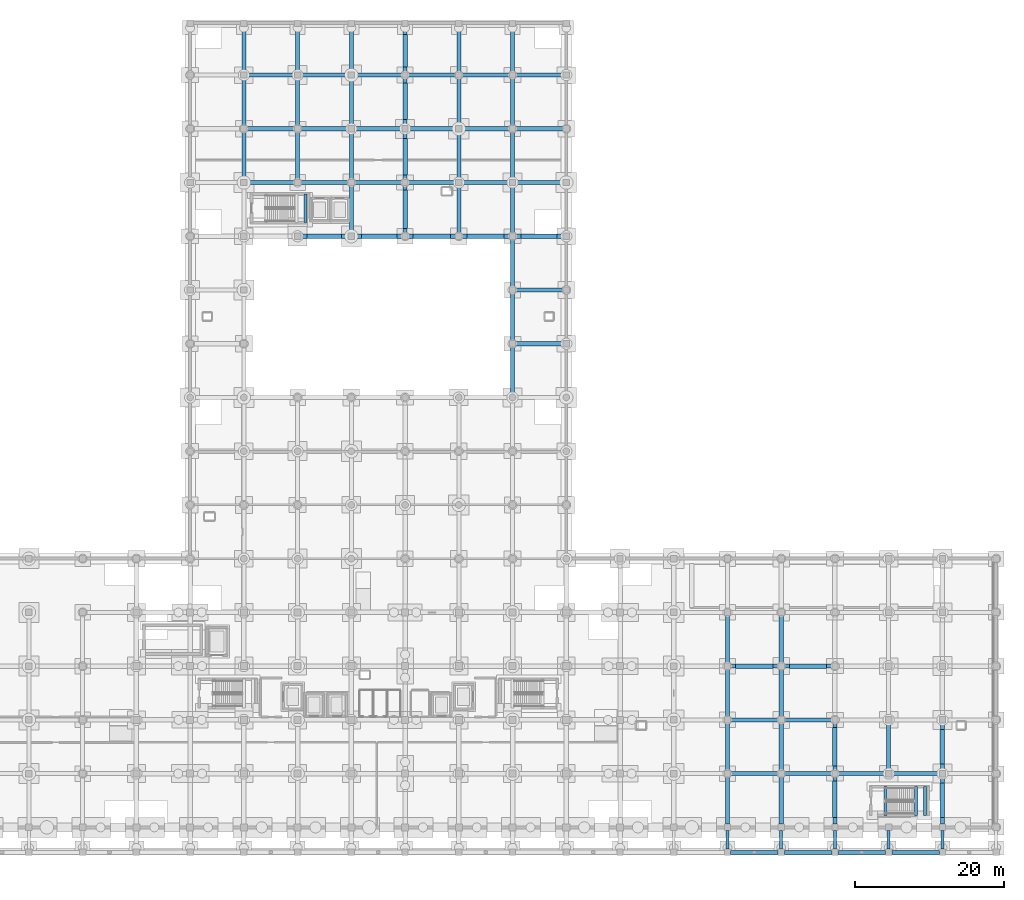
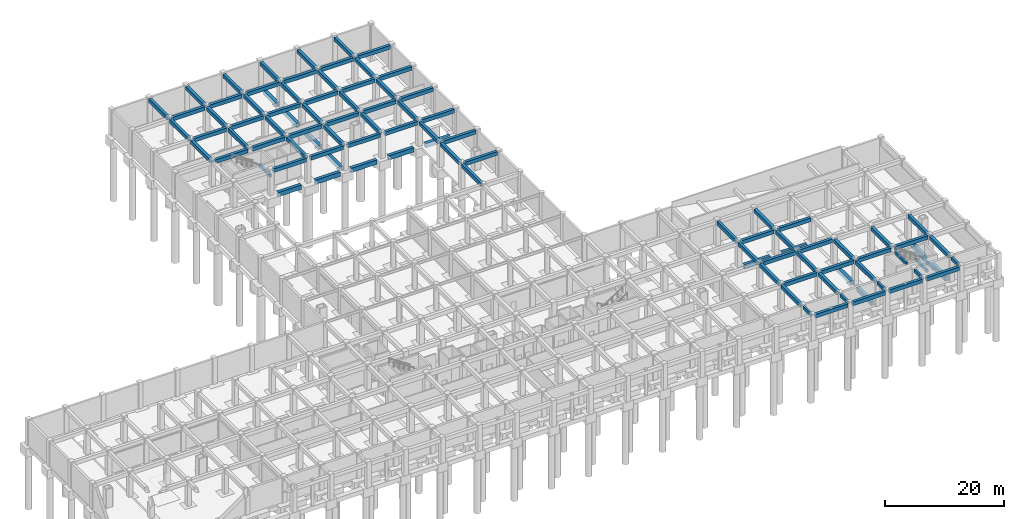
# One storey, part 11 of 26: 99 beams.
"""IFC4 building model written with IfcOpenShell, lengths in metres."""

from ifc_helpers import new_model, si_unit, direction, frame, origin, origin_2d, place, context, subcontext, project, spatial, rectangle, extrude, material, material_profile, profile_set, type_object, element, save


model = new_model("IFC4")

# Units and contexts
model_context = context("Model", 3, precision=1e-05, world=origin(), true_north=direction((0.0, 1.0)))
body_context = subcontext(model_context, "Body", "Model", "MODEL_VIEW")
ifc_project = project(units=[si_unit("LENGTHUNIT", "METRE"), si_unit("AREAUNIT", "SQUARE_METRE"), si_unit("VOLUMEUNIT", "CUBIC_METRE"), si_unit("PLANEANGLEUNIT", "RADIAN"), si_unit("MASSUNIT", "GRAM", prefix="KILO")], contexts=[model_context])

# Site, building, storey
site_placement = place(None, origin())
site = spatial("IfcSite", under=ifc_project, at=site_placement, CompositionType="ELEMENT")
building_placement = place(site_placement, origin())
building = spatial("IfcBuilding", under=site, at=building_placement, Name="Kazehaya Institute of Natural Sciences", CompositionType="ELEMENT")
storey_placement = place(building_placement, frame((0.0, 0.0, -5.39990234375)))
storey = spatial("IfcBuildingStorey", under=building, at=storey_placement, Name="B1", CompositionType="ELEMENT", Elevation=-5.39990234375)

# Beams
ifc_material = material(Name="Concrete Fc36", Category="concrete")
ifc_material_profile_1 = material_profile(ifc_material, rectangle(XDim=0.39990234375, YDim=0.60009765625, at=origin_2d()), Name="RC-400x600")
ifc_profile_set_1 = profile_set([ifc_material_profile_1], Name="Concrete Fc36")
beam_type_1 = type_object("IfcBeamType", Name="BM-B-400x600", PredefinedType="BEAM", material=ifc_profile_set_1)
for number, where, z_axis, x_axis, name in (
    (1, (133.800048828125, 3.875, 4.81982421875), (0.0, 1.0, 0.0), (-1.0, 0.0, 0.0), "B1 primary Y girder BMY-B1-1338-34"),
    (2, (141.0, 3.875, 4.81982421875), (0.0, 1.0, 0.0), (-1.0, 0.0, 0.0), "B1 primary Y girder BMY-B1-1410-34"),
    (3, (148.199951171875, 3.875, 4.81982421875), (0.0, 1.0, 0.0), (-1.0, 0.0, 0.0), "B1 primary Y girder BMY-B1-1482-34"),
    (4, (155.39990234375, 3.875, 4.81982421875), (0.0, 1.0, 0.0), (-1.0, 0.0, 0.0), "B1 primary Y girder BMY-B1-1554-34"),
    (5, (162.60009765625, 3.875, 4.81982421875), (0.0, 1.0, 0.0), (-1.0, 0.0, 0.0), "B1 primary Y girder BMY-B1-1626-34"),
):
    element("IfcBeam", number, at=place(storey_placement, frame(where, z_axis=z_axis, x_axis=x_axis)), inside=storey, type_object=beam_type_1, Name=name, PredefinedType="BEAM", context=body_context, shape_type="SweptSolid", body=[
        extrude(rectangle(XDim=0.39990234375, YDim=0.60009765625, at=origin_2d()), origin(), (0.0, 0.0, 1.0), 2.5),
    ])
beam_1_placement = place(storey_placement, frame((77.25, 87.820068359375, 2.239990234375), z_axis=(0.0, 1.0, 0.0), x_axis=(-1.0, 0.0, 0.0)))
element("IfcBeam", 6, at=beam_1_placement, inside=storey, type_object=beam_type_1, Name="B1 ST-3 landing beam 2", PredefinedType="BEAM", context=body_context, shape_type="SweptSolid", body=[
    extrude(rectangle(XDim=0.39990234375, YDim=0.60009765625, at=origin_2d()), origin(), (0.0, 0.0, 1.0), 3.83984375),
])
for number, where, z_axis, x_axis, name in (
    (7, (155.0, 8.419921875, 5.099853515625), (0.0, 1.0, 0.0), (-1.0, 0.0, 0.0), "L00 ST-5 stair header trimmer beam"),
    (8, (159.030029296875, 8.419921875, 2.239990234375), (0.0, 1.0, 0.0), (-1.0, 0.0, 0.0), "B1 ST-5 landing beam 1"),
    (9, (160.25, 8.419921875, 2.239990234375), (0.0, 1.0, 0.0), (-1.0, 0.0, 0.0), "B1 ST-5 landing beam 2"),
):
    element("IfcBeam", number, at=place(storey_placement, frame(where, z_axis=z_axis, x_axis=x_axis)), inside=storey, type_object=beam_type_1, Name=name, PredefinedType="BEAM", context=body_context, shape_type="SweptSolid", body=[
        extrude(rectangle(XDim=0.39990234375, YDim=0.60009765625, at=origin_2d()), origin(), (0.0, 0.0, 1.0), 3.840087890625),
    ])
ifc_material_profile_2 = material_profile(ifc_material, rectangle(XDim=0.550048828125, YDim=0.75, at=origin_2d()), Name="RC-550x750")
ifc_profile_set_2 = profile_set([ifc_material_profile_2], Name="Concrete Fc36")
beam_type_2 = type_object("IfcBeamType", Name="BM-G-550x750", PredefinedType="BEAM", material=ifc_profile_set_2)
for number, where, z_axis, x_axis, name in (
    (10, (134.22509765625, 3.449951171875, 4.744873046875), (1.0, 0.0, 0.0), (0.0, 1.0, 0.0), "B1 primary X girder BMX-B1-1338-34"),
    (11, (141.425048828125, 3.449951171875, 4.744873046875), (1.0, 0.0, 0.0), (0.0, 1.0, 0.0), "B1 primary X girder BMX-B1-1410-34"),
):
    element("IfcBeam", number, at=place(storey_placement, frame(where, z_axis=z_axis, x_axis=x_axis)), inside=storey, type_object=beam_type_2, Name=name, PredefinedType="BEAM", context=body_context, shape_type="SweptSolid", body=[
        extrude(rectangle(XDim=0.550048828125, YDim=0.75, at=origin_2d()), origin(), (0.0, 0.0, 1.0), 6.349853515625),
    ])
for number, where, z_axis, x_axis, name in (
    (12, (148.625, 3.449951171875, 4.744873046875), (1.0, 0.0, 0.0), (0.0, 1.0, 0.0), "B1 primary X girder BMX-B1-1482-34"),
    (13, (155.824951171875, 3.449951171875, 4.744873046875), (1.0, 0.0, 0.0), (0.0, 1.0, 0.0), "B1 primary X girder BMX-B1-1554-34"),
):
    element("IfcBeam", number, at=place(storey_placement, frame(where, z_axis=z_axis, x_axis=x_axis)), inside=storey, type_object=beam_type_2, Name=name, PredefinedType="BEAM", context=body_context, shape_type="SweptSolid", body=[
        extrude(rectangle(XDim=0.550048828125, YDim=0.75, at=origin_2d()), origin(), (0.0, 0.0, 1.0), 6.35009765625),
    ])
for number, where, z_axis, x_axis, name in (
    (14, (134.22509765625, 14.0, 4.744873046875), (1.0, 0.0, 0.0), (0.0, 1.0, 0.0), "B1 primary X girder BMX-B1-1338-140"),
    (15, (141.425048828125, 14.0, 4.744873046875), (1.0, 0.0, 0.0), (0.0, 1.0, 0.0), "B1 primary X girder BMX-B1-1410-140"),
):
    element("IfcBeam", number, at=place(storey_placement, frame(where, z_axis=z_axis, x_axis=x_axis)), inside=storey, type_object=beam_type_2, Name=name, PredefinedType="BEAM", context=body_context, shape_type="SweptSolid", body=[
        extrude(rectangle(XDim=0.550048828125, YDim=0.75, at=origin_2d()), origin(), (0.0, 0.0, 1.0), 6.349853515625),
    ])
for number, where, z_axis, x_axis, name in (
    (16, (148.625, 14.0, 4.744873046875), (1.0, 0.0, 0.0), (0.0, 1.0, 0.0), "B1 primary X girder BMX-B1-1482-140"),
    (17, (155.824951171875, 14.0, 4.744873046875), (1.0, 0.0, 0.0), (0.0, 1.0, 0.0), "B1 primary X girder BMX-B1-1554-140"),
):
    element("IfcBeam", number, at=place(storey_placement, frame(where, z_axis=z_axis, x_axis=x_axis)), inside=storey, type_object=beam_type_2, Name=name, PredefinedType="BEAM", context=body_context, shape_type="SweptSolid", body=[
        extrude(rectangle(XDim=0.550048828125, YDim=0.75, at=origin_2d()), origin(), (0.0, 0.0, 1.0), 6.35009765625),
    ])
for number, where, z_axis, x_axis, name in (
    (18, (134.22509765625, 21.199951171875, 4.744873046875), (1.0, 0.0, 0.0), (0.0, 1.0, 0.0), "B1 primary X girder BMX-B1-1338-212"),
    (19, (141.425048828125, 21.199951171875, 4.744873046875), (1.0, 0.0, 0.0), (0.0, 1.0, 0.0), "B1 primary X girder BMX-B1-1410-212"),
    (20, (134.22509765625, 28.39990234375, 4.744873046875), (1.0, 0.0, 0.0), (0.0, 1.0, 0.0), "B1 primary X girder BMX-B1-1338-284"),
    (21, (141.425048828125, 28.39990234375, 4.744873046875), (1.0, 0.0, 0.0), (0.0, 1.0, 0.0), "B1 primary X girder BMX-B1-1410-284"),
    (22, (105.425048828125, 71.60009765625, 4.744873046875), (1.0, 0.0, 0.0), (0.0, 1.0, 0.0), "B1 primary X girder BMX-B1-1050-716"),
    (23, (105.425048828125, 78.800048828125, 4.744873046875), (1.0, 0.0, 0.0), (0.0, 1.0, 0.0), "B1 primary X girder BMX-B1-1050-788"),
):
    element("IfcBeam", number, at=place(storey_placement, frame(where, z_axis=z_axis, x_axis=x_axis)), inside=storey, type_object=beam_type_2, Name=name, PredefinedType="BEAM", context=body_context, shape_type="SweptSolid", body=[
        extrude(rectangle(XDim=0.550048828125, YDim=0.75, at=origin_2d()), origin(), (0.0, 0.0, 1.0), 6.349853515625),
    ])
for number, where, z_axis, x_axis, name in (
    (24, (76.625, 86.0, 4.744873046875), (1.0, 0.0, 0.0), (0.0, 1.0, 0.0), "B1 primary X girder BMX-B1-762-860"),
    (25, (83.824951171875, 86.0, 4.744873046875), (1.0, 0.0, 0.0), (0.0, 1.0, 0.0), "B1 primary X girder BMX-B1-834-860"),
    (26, (91.02490234375, 86.0, 4.744873046875), (1.0, 0.0, 0.0), (0.0, 1.0, 0.0), "B1 primary X girder BMX-B1-906-860"),
):
    element("IfcBeam", number, at=place(storey_placement, frame(where, z_axis=z_axis, x_axis=x_axis)), inside=storey, type_object=beam_type_2, Name=name, PredefinedType="BEAM", context=body_context, shape_type="SweptSolid", body=[
        extrude(rectangle(XDim=0.550048828125, YDim=0.75, at=origin_2d()), origin(), (0.0, 0.0, 1.0), 6.35009765625),
    ])
for number, where, z_axis, x_axis, name in (
    (27, (98.22509765625, 86.0, 4.744873046875), (1.0, 0.0, 0.0), (0.0, 1.0, 0.0), "B1 primary X girder BMX-B1-978-860"),
    (28, (105.425048828125, 86.0, 4.744873046875), (1.0, 0.0, 0.0), (0.0, 1.0, 0.0), "B1 primary X girder BMX-B1-1050-860"),
    (29, (69.425048828125, 93.199951171875, 4.744873046875), (1.0, 0.0, 0.0), (0.0, 1.0, 0.0), "B1 primary X girder BMX-B1-690-932"),
):
    element("IfcBeam", number, at=place(storey_placement, frame(where, z_axis=z_axis, x_axis=x_axis)), inside=storey, type_object=beam_type_2, Name=name, PredefinedType="BEAM", context=body_context, shape_type="SweptSolid", body=[
        extrude(rectangle(XDim=0.550048828125, YDim=0.75, at=origin_2d()), origin(), (0.0, 0.0, 1.0), 6.349853515625),
    ])
for number, where, z_axis, x_axis, name in (
    (30, (76.625, 93.199951171875, 4.744873046875), (1.0, 0.0, 0.0), (0.0, 1.0, 0.0), "B1 primary X girder BMX-B1-762-932"),
    (31, (83.824951171875, 93.199951171875, 4.744873046875), (1.0, 0.0, 0.0), (0.0, 1.0, 0.0), "B1 primary X girder BMX-B1-834-932"),
    (32, (91.02490234375, 93.199951171875, 4.744873046875), (1.0, 0.0, 0.0), (0.0, 1.0, 0.0), "B1 primary X girder BMX-B1-906-932"),
):
    element("IfcBeam", number, at=place(storey_placement, frame(where, z_axis=z_axis, x_axis=x_axis)), inside=storey, type_object=beam_type_2, Name=name, PredefinedType="BEAM", context=body_context, shape_type="SweptSolid", body=[
        extrude(rectangle(XDim=0.550048828125, YDim=0.75, at=origin_2d()), origin(), (0.0, 0.0, 1.0), 6.35009765625),
    ])
for number, where, z_axis, x_axis, name in (
    (33, (98.22509765625, 93.199951171875, 4.744873046875), (1.0, 0.0, 0.0), (0.0, 1.0, 0.0), "B1 primary X girder BMX-B1-978-932"),
    (34, (105.425048828125, 93.199951171875, 4.744873046875), (1.0, 0.0, 0.0), (0.0, 1.0, 0.0), "B1 primary X girder BMX-B1-1050-932"),
    (35, (69.425048828125, 100.39990234375, 4.744873046875), (1.0, 0.0, 0.0), (0.0, 1.0, 0.0), "B1 primary X girder BMX-B1-690-1004"),
):
    element("IfcBeam", number, at=place(storey_placement, frame(where, z_axis=z_axis, x_axis=x_axis)), inside=storey, type_object=beam_type_2, Name=name, PredefinedType="BEAM", context=body_context, shape_type="SweptSolid", body=[
        extrude(rectangle(XDim=0.550048828125, YDim=0.75, at=origin_2d()), origin(), (0.0, 0.0, 1.0), 6.349853515625),
    ])
for number, where, z_axis, x_axis, name in (
    (36, (76.625, 100.39990234375, 4.744873046875), (1.0, 0.0, 0.0), (0.0, 1.0, 0.0), "B1 primary X girder BMX-B1-762-1004"),
    (37, (83.824951171875, 100.39990234375, 4.744873046875), (1.0, 0.0, 0.0), (0.0, 1.0, 0.0), "B1 primary X girder BMX-B1-834-1004"),
    (38, (91.02490234375, 100.39990234375, 4.744873046875), (1.0, 0.0, 0.0), (0.0, 1.0, 0.0), "B1 primary X girder BMX-B1-906-1004"),
):
    element("IfcBeam", number, at=place(storey_placement, frame(where, z_axis=z_axis, x_axis=x_axis)), inside=storey, type_object=beam_type_2, Name=name, PredefinedType="BEAM", context=body_context, shape_type="SweptSolid", body=[
        extrude(rectangle(XDim=0.550048828125, YDim=0.75, at=origin_2d()), origin(), (0.0, 0.0, 1.0), 6.35009765625),
    ])
for number, where, z_axis, x_axis, name in (
    (39, (98.22509765625, 100.39990234375, 4.744873046875), (1.0, 0.0, 0.0), (0.0, 1.0, 0.0), "B1 primary X girder BMX-B1-978-1004"),
    (40, (105.425048828125, 100.39990234375, 4.744873046875), (1.0, 0.0, 0.0), (0.0, 1.0, 0.0), "B1 primary X girder BMX-B1-1050-1004"),
    (41, (69.425048828125, 107.60009765625, 4.744873046875), (1.0, 0.0, 0.0), (0.0, 1.0, 0.0), "B1 primary X girder BMX-B1-690-1076"),
):
    element("IfcBeam", number, at=place(storey_placement, frame(where, z_axis=z_axis, x_axis=x_axis)), inside=storey, type_object=beam_type_2, Name=name, PredefinedType="BEAM", context=body_context, shape_type="SweptSolid", body=[
        extrude(rectangle(XDim=0.550048828125, YDim=0.75, at=origin_2d()), origin(), (0.0, 0.0, 1.0), 6.349853515625),
    ])
for number, where, z_axis, x_axis, name in (
    (42, (76.625, 107.60009765625, 4.744873046875), (1.0, 0.0, 0.0), (0.0, 1.0, 0.0), "B1 primary X girder BMX-B1-762-1076"),
    (43, (83.824951171875, 107.60009765625, 4.744873046875), (1.0, 0.0, 0.0), (0.0, 1.0, 0.0), "B1 primary X girder BMX-B1-834-1076"),
    (44, (91.02490234375, 107.60009765625, 4.744873046875), (1.0, 0.0, 0.0), (0.0, 1.0, 0.0), "B1 primary X girder BMX-B1-906-1076"),
):
    element("IfcBeam", number, at=place(storey_placement, frame(where, z_axis=z_axis, x_axis=x_axis)), inside=storey, type_object=beam_type_2, Name=name, PredefinedType="BEAM", context=body_context, shape_type="SweptSolid", body=[
        extrude(rectangle(XDim=0.550048828125, YDim=0.75, at=origin_2d()), origin(), (0.0, 0.0, 1.0), 6.35009765625),
    ])
for number, where, z_axis, x_axis, name in (
    (45, (98.22509765625, 107.60009765625, 4.744873046875), (1.0, 0.0, 0.0), (0.0, 1.0, 0.0), "B1 primary X girder BMX-B1-978-1076"),
    (46, (105.425048828125, 107.60009765625, 4.744873046875), (1.0, 0.0, 0.0), (0.0, 1.0, 0.0), "B1 primary X girder BMX-B1-1050-1076"),
):
    element("IfcBeam", number, at=place(storey_placement, frame(where, z_axis=z_axis, x_axis=x_axis)), inside=storey, type_object=beam_type_2, Name=name, PredefinedType="BEAM", context=body_context, shape_type="SweptSolid", body=[
        extrude(rectangle(XDim=0.550048828125, YDim=0.75, at=origin_2d()), origin(), (0.0, 0.0, 1.0), 6.349853515625),
    ])
for number, where, z_axis, x_axis, name in (
    (47, (69.0, 93.625, 4.744873046875), (0.0, 1.0, 0.0), (-1.0, 0.0, 0.0), "B1 primary Y girder BMY-B1-690-932"),
    (48, (69.0, 100.824951171875, 4.744873046875), (0.0, 1.0, 0.0), (-1.0, 0.0, 0.0), "B1 primary Y girder BMY-B1-690-1004"),
):
    element("IfcBeam", number, at=place(storey_placement, frame(where, z_axis=z_axis, x_axis=x_axis)), inside=storey, type_object=beam_type_2, Name=name, PredefinedType="BEAM", context=body_context, shape_type="SweptSolid", body=[
        extrude(rectangle(XDim=0.550048828125, YDim=0.75, at=origin_2d()), origin(), (0.0, 0.0, 1.0), 6.35009765625),
    ])
beam_2_placement = place(storey_placement, frame((69.0, 108.02490234375, 4.744873046875), z_axis=(0.0, 1.0, 0.0), x_axis=(-1.0, 0.0, 0.0)))
element("IfcBeam", 49, at=beam_2_placement, inside=storey, type_object=beam_type_2, Name="B1 primary Y girder BMY-B1-690-1076", PredefinedType="BEAM", context=body_context, shape_type="SweptSolid", body=[
    extrude(rectangle(XDim=0.550048828125, YDim=0.75, at=origin_2d()), origin(), (0.0, 0.0, 1.0), 6.10009765625),
])
for number, where, z_axis, x_axis, name in (
    (50, (76.199951171875, 93.625, 4.744873046875), (0.0, 1.0, 0.0), (-1.0, 0.0, 0.0), "B1 primary Y girder BMY-B1-762-932"),
    (51, (76.199951171875, 100.824951171875, 4.744873046875), (0.0, 1.0, 0.0), (-1.0, 0.0, 0.0), "B1 primary Y girder BMY-B1-762-1004"),
):
    element("IfcBeam", number, at=place(storey_placement, frame(where, z_axis=z_axis, x_axis=x_axis)), inside=storey, type_object=beam_type_2, Name=name, PredefinedType="BEAM", context=body_context, shape_type="SweptSolid", body=[
        extrude(rectangle(XDim=0.550048828125, YDim=0.75, at=origin_2d()), origin(), (0.0, 0.0, 1.0), 6.35009765625),
    ])
beam_3_placement = place(storey_placement, frame((76.199951171875, 108.02490234375, 4.744873046875), z_axis=(0.0, 1.0, 0.0), x_axis=(-1.0, 0.0, 0.0)))
element("IfcBeam", 52, at=beam_3_placement, inside=storey, type_object=beam_type_2, Name="B1 primary Y girder BMY-B1-762-1076", PredefinedType="BEAM", context=body_context, shape_type="SweptSolid", body=[
    extrude(rectangle(XDim=0.550048828125, YDim=0.75, at=origin_2d()), origin(), (0.0, 0.0, 1.0), 6.10009765625),
])
beam_4_placement = place(storey_placement, frame((83.39990234375, 86.425048828125, 4.744873046875), z_axis=(0.0, 1.0, 0.0), x_axis=(-1.0, 0.0, 0.0)))
element("IfcBeam", 53, at=beam_4_placement, inside=storey, type_object=beam_type_2, Name="B1 primary Y girder BMY-B1-834-860", PredefinedType="BEAM", context=body_context, shape_type="SweptSolid", body=[
    extrude(rectangle(XDim=0.550048828125, YDim=0.75, at=origin_2d()), origin(), (0.0, 0.0, 1.0), 6.349853515625),
])
for number, where, z_axis, x_axis, name in (
    (54, (83.39990234375, 93.625, 4.744873046875), (0.0, 1.0, 0.0), (-1.0, 0.0, 0.0), "B1 primary Y girder BMY-B1-834-932"),
    (55, (83.39990234375, 100.824951171875, 4.744873046875), (0.0, 1.0, 0.0), (-1.0, 0.0, 0.0), "B1 primary Y girder BMY-B1-834-1004"),
):
    element("IfcBeam", number, at=place(storey_placement, frame(where, z_axis=z_axis, x_axis=x_axis)), inside=storey, type_object=beam_type_2, Name=name, PredefinedType="BEAM", context=body_context, shape_type="SweptSolid", body=[
        extrude(rectangle(XDim=0.550048828125, YDim=0.75, at=origin_2d()), origin(), (0.0, 0.0, 1.0), 6.35009765625),
    ])
beam_5_placement = place(storey_placement, frame((83.39990234375, 108.02490234375, 4.744873046875), z_axis=(0.0, 1.0, 0.0), x_axis=(-1.0, 0.0, 0.0)))
element("IfcBeam", 56, at=beam_5_placement, inside=storey, type_object=beam_type_2, Name="B1 primary Y girder BMY-B1-834-1076", PredefinedType="BEAM", context=body_context, shape_type="SweptSolid", body=[
    extrude(rectangle(XDim=0.550048828125, YDim=0.75, at=origin_2d()), origin(), (0.0, 0.0, 1.0), 6.10009765625),
])
beam_6_placement = place(storey_placement, frame((90.60009765625, 86.425048828125, 4.744873046875), z_axis=(0.0, 1.0, 0.0), x_axis=(-1.0, 0.0, 0.0)))
element("IfcBeam", 57, at=beam_6_placement, inside=storey, type_object=beam_type_2, Name="B1 primary Y girder BMY-B1-906-860", PredefinedType="BEAM", context=body_context, shape_type="SweptSolid", body=[
    extrude(rectangle(XDim=0.550048828125, YDim=0.75, at=origin_2d()), origin(), (0.0, 0.0, 1.0), 6.349853515625),
])
for number, where, z_axis, x_axis, name in (
    (58, (90.60009765625, 93.625, 4.744873046875), (0.0, 1.0, 0.0), (-1.0, 0.0, 0.0), "B1 primary Y girder BMY-B1-906-932"),
    (59, (90.60009765625, 100.824951171875, 4.744873046875), (0.0, 1.0, 0.0), (-1.0, 0.0, 0.0), "B1 primary Y girder BMY-B1-906-1004"),
):
    element("IfcBeam", number, at=place(storey_placement, frame(where, z_axis=z_axis, x_axis=x_axis)), inside=storey, type_object=beam_type_2, Name=name, PredefinedType="BEAM", context=body_context, shape_type="SweptSolid", body=[
        extrude(rectangle(XDim=0.550048828125, YDim=0.75, at=origin_2d()), origin(), (0.0, 0.0, 1.0), 6.35009765625),
    ])
beam_7_placement = place(storey_placement, frame((90.60009765625, 108.02490234375, 4.744873046875), z_axis=(0.0, 1.0, 0.0), x_axis=(-1.0, 0.0, 0.0)))
element("IfcBeam", 60, at=beam_7_placement, inside=storey, type_object=beam_type_2, Name="B1 primary Y girder BMY-B1-906-1076", PredefinedType="BEAM", context=body_context, shape_type="SweptSolid", body=[
    extrude(rectangle(XDim=0.550048828125, YDim=0.75, at=origin_2d()), origin(), (0.0, 0.0, 1.0), 6.10009765625),
])
beam_8_placement = place(storey_placement, frame((97.800048828125, 86.425048828125, 4.744873046875), z_axis=(0.0, 1.0, 0.0), x_axis=(-1.0, 0.0, 0.0)))
element("IfcBeam", 61, at=beam_8_placement, inside=storey, type_object=beam_type_2, Name="B1 primary Y girder BMY-B1-978-860", PredefinedType="BEAM", context=body_context, shape_type="SweptSolid", body=[
    extrude(rectangle(XDim=0.550048828125, YDim=0.75, at=origin_2d()), origin(), (0.0, 0.0, 1.0), 6.349853515625),
])
for number, where, z_axis, x_axis, name in (
    (62, (97.800048828125, 93.625, 4.744873046875), (0.0, 1.0, 0.0), (-1.0, 0.0, 0.0), "B1 primary Y girder BMY-B1-978-932"),
    (63, (97.800048828125, 100.824951171875, 4.744873046875), (0.0, 1.0, 0.0), (-1.0, 0.0, 0.0), "B1 primary Y girder BMY-B1-978-1004"),
):
    element("IfcBeam", number, at=place(storey_placement, frame(where, z_axis=z_axis, x_axis=x_axis)), inside=storey, type_object=beam_type_2, Name=name, PredefinedType="BEAM", context=body_context, shape_type="SweptSolid", body=[
        extrude(rectangle(XDim=0.550048828125, YDim=0.75, at=origin_2d()), origin(), (0.0, 0.0, 1.0), 6.35009765625),
    ])
beam_9_placement = place(storey_placement, frame((97.800048828125, 108.02490234375, 4.744873046875), z_axis=(0.0, 1.0, 0.0), x_axis=(-1.0, 0.0, 0.0)))
element("IfcBeam", 64, at=beam_9_placement, inside=storey, type_object=beam_type_2, Name="B1 primary Y girder BMY-B1-978-1076", PredefinedType="BEAM", context=body_context, shape_type="SweptSolid", body=[
    extrude(rectangle(XDim=0.550048828125, YDim=0.75, at=origin_2d()), origin(), (0.0, 0.0, 1.0), 6.10009765625),
])
beam_10_placement = place(storey_placement, frame((105.0, 64.85009765625, 4.744873046875), z_axis=(0.0, 1.0, 0.0), x_axis=(-1.0, 0.0, 0.0)))
element("IfcBeam", 65, at=beam_10_placement, inside=storey, type_object=beam_type_2, Name="B1 primary Y girder BMY-B1-1050-644", PredefinedType="BEAM", context=body_context, shape_type="SweptSolid", body=[
    extrude(rectangle(XDim=0.550048828125, YDim=0.75, at=origin_2d()), origin(), (0.0, 0.0, 1.0), 6.324951171875),
])
beam_11_placement = place(storey_placement, frame((105.0, 72.02490234375, 4.744873046875), z_axis=(0.0, 1.0, 0.0), x_axis=(-1.0, 0.0, 0.0)))
element("IfcBeam", 66, at=beam_11_placement, inside=storey, type_object=beam_type_2, Name="B1 primary Y girder BMY-B1-1050-716", PredefinedType="BEAM", context=body_context, shape_type="SweptSolid", body=[
    extrude(rectangle(XDim=0.550048828125, YDim=0.75, at=origin_2d()), origin(), (0.0, 0.0, 1.0), 6.35009765625),
])
for number, where, z_axis, x_axis, name in (
    (67, (105.0, 79.22509765625, 4.744873046875), (0.0, 1.0, 0.0), (-1.0, 0.0, 0.0), "B1 primary Y girder BMY-B1-1050-788"),
    (68, (105.0, 86.425048828125, 4.744873046875), (0.0, 1.0, 0.0), (-1.0, 0.0, 0.0), "B1 primary Y girder BMY-B1-1050-860"),
):
    element("IfcBeam", number, at=place(storey_placement, frame(where, z_axis=z_axis, x_axis=x_axis)), inside=storey, type_object=beam_type_2, Name=name, PredefinedType="BEAM", context=body_context, shape_type="SweptSolid", body=[
        extrude(rectangle(XDim=0.550048828125, YDim=0.75, at=origin_2d()), origin(), (0.0, 0.0, 1.0), 6.349853515625),
    ])
for number, where, z_axis, x_axis, name in (
    (69, (105.0, 93.625, 4.744873046875), (0.0, 1.0, 0.0), (-1.0, 0.0, 0.0), "B1 primary Y girder BMY-B1-1050-932"),
    (70, (105.0, 100.824951171875, 4.744873046875), (0.0, 1.0, 0.0), (-1.0, 0.0, 0.0), "B1 primary Y girder BMY-B1-1050-1004"),
):
    element("IfcBeam", number, at=place(storey_placement, frame(where, z_axis=z_axis, x_axis=x_axis)), inside=storey, type_object=beam_type_2, Name=name, PredefinedType="BEAM", context=body_context, shape_type="SweptSolid", body=[
        extrude(rectangle(XDim=0.550048828125, YDim=0.75, at=origin_2d()), origin(), (0.0, 0.0, 1.0), 6.35009765625),
    ])
beam_12_placement = place(storey_placement, frame((105.0, 108.02490234375, 4.744873046875), z_axis=(0.0, 1.0, 0.0), x_axis=(-1.0, 0.0, 0.0)))
element("IfcBeam", 71, at=beam_12_placement, inside=storey, type_object=beam_type_2, Name="B1 primary Y girder BMY-B1-1050-1076", PredefinedType="BEAM", context=body_context, shape_type="SweptSolid", body=[
    extrude(rectangle(XDim=0.550048828125, YDim=0.75, at=origin_2d()), origin(), (0.0, 0.0, 1.0), 6.10009765625),
])
for number, where, z_axis, x_axis, name in (
    (72, (133.800048828125, 7.22509765625, 4.744873046875), (0.0, 1.0, 0.0), (-1.0, 0.0, 0.0), "B1 primary Y girder BMY-B1-1338-68"),
    (73, (133.800048828125, 14.425048828125, 4.744873046875), (0.0, 1.0, 0.0), (-1.0, 0.0, 0.0), "B1 primary Y girder BMY-B1-1338-140"),
):
    element("IfcBeam", number, at=place(storey_placement, frame(where, z_axis=z_axis, x_axis=x_axis)), inside=storey, type_object=beam_type_2, Name=name, PredefinedType="BEAM", context=body_context, shape_type="SweptSolid", body=[
        extrude(rectangle(XDim=0.550048828125, YDim=0.75, at=origin_2d()), origin(), (0.0, 0.0, 1.0), 6.349853515625),
    ])
for number, where, z_axis, x_axis, name in (
    (74, (133.800048828125, 21.625, 4.744873046875), (0.0, 1.0, 0.0), (-1.0, 0.0, 0.0), "B1 primary Y girder BMY-B1-1338-212"),
    (75, (133.800048828125, 28.824951171875, 4.744873046875), (0.0, 1.0, 0.0), (-1.0, 0.0, 0.0), "B1 primary Y girder BMY-B1-1338-284"),
):
    element("IfcBeam", number, at=place(storey_placement, frame(where, z_axis=z_axis, x_axis=x_axis)), inside=storey, type_object=beam_type_2, Name=name, PredefinedType="BEAM", context=body_context, shape_type="SweptSolid", body=[
        extrude(rectangle(XDim=0.550048828125, YDim=0.75, at=origin_2d()), origin(), (0.0, 0.0, 1.0), 6.35009765625),
    ])
for number, where, z_axis, x_axis, name in (
    (76, (141.0, 7.22509765625, 4.744873046875), (0.0, 1.0, 0.0), (-1.0, 0.0, 0.0), "B1 primary Y girder BMY-B1-1410-68"),
    (77, (141.0, 14.425048828125, 4.744873046875), (0.0, 1.0, 0.0), (-1.0, 0.0, 0.0), "B1 primary Y girder BMY-B1-1410-140"),
):
    element("IfcBeam", number, at=place(storey_placement, frame(where, z_axis=z_axis, x_axis=x_axis)), inside=storey, type_object=beam_type_2, Name=name, PredefinedType="BEAM", context=body_context, shape_type="SweptSolid", body=[
        extrude(rectangle(XDim=0.550048828125, YDim=0.75, at=origin_2d()), origin(), (0.0, 0.0, 1.0), 6.349853515625),
    ])
for number, where, z_axis, x_axis, name in (
    (78, (141.0, 21.625, 4.744873046875), (0.0, 1.0, 0.0), (-1.0, 0.0, 0.0), "B1 primary Y girder BMY-B1-1410-212"),
    (79, (141.0, 28.824951171875, 4.744873046875), (0.0, 1.0, 0.0), (-1.0, 0.0, 0.0), "B1 primary Y girder BMY-B1-1410-284"),
):
    element("IfcBeam", number, at=place(storey_placement, frame(where, z_axis=z_axis, x_axis=x_axis)), inside=storey, type_object=beam_type_2, Name=name, PredefinedType="BEAM", context=body_context, shape_type="SweptSolid", body=[
        extrude(rectangle(XDim=0.550048828125, YDim=0.75, at=origin_2d()), origin(), (0.0, 0.0, 1.0), 6.35009765625),
    ])
for number, where, z_axis, x_axis, name in (
    (80, (148.199951171875, 7.22509765625, 4.744873046875), (0.0, 1.0, 0.0), (-1.0, 0.0, 0.0), "B1 primary Y girder BMY-B1-1482-68"),
    (81, (148.199951171875, 14.425048828125, 4.744873046875), (0.0, 1.0, 0.0), (-1.0, 0.0, 0.0), "B1 primary Y girder BMY-B1-1482-140"),
    (82, (155.39990234375, 14.425048828125, 4.744873046875), (0.0, 1.0, 0.0), (-1.0, 0.0, 0.0), "B1 primary Y girder BMY-B1-1554-140"),
    (83, (162.60009765625, 7.22509765625, 4.744873046875), (0.0, 1.0, 0.0), (-1.0, 0.0, 0.0), "B1 primary Y girder BMY-B1-1626-68"),
    (84, (162.60009765625, 14.425048828125, 4.744873046875), (0.0, 1.0, 0.0), (-1.0, 0.0, 0.0), "B1 primary Y girder BMY-B1-1626-140"),
):
    element("IfcBeam", number, at=place(storey_placement, frame(where, z_axis=z_axis, x_axis=x_axis)), inside=storey, type_object=beam_type_2, Name=name, PredefinedType="BEAM", context=body_context, shape_type="SweptSolid", body=[
        extrude(rectangle(XDim=0.550048828125, YDim=0.75, at=origin_2d()), origin(), (0.0, 0.0, 1.0), 6.349853515625),
    ])
ifc_material_profile_3 = material_profile(ifc_material, rectangle(XDim=0.60009765625, YDim=0.89990234375, at=origin_2d()), Name="RC-600x900")
ifc_profile_set_3 = profile_set([ifc_material_profile_3], Name="Concrete Fc36")
beam_type_3 = type_object("IfcBeamType", Name="BM-TB-600x900", PredefinedType="T_BEAM", material=ifc_profile_set_3)
beam_13_placement = place(storey_placement, frame((134.85009765625, 28.39990234375, -0.4501953125), z_axis=(1.0, 0.0, 0.0), x_axis=(0.0, 1.0, 0.0)))
element("IfcBeam", 85, at=beam_13_placement, inside=storey, type_object=beam_type_3, Name="Foundation tie beam TB-X-019", PredefinedType="T_BEAM", context=body_context, shape_type="SweptSolid", body=[
    extrude(rectangle(XDim=0.60009765625, YDim=0.89990234375, at=origin_2d()), origin(), (0.0, 0.0, 1.0), 5.02490234375),
])
beam_14_placement = place(storey_placement, frame((142.125, 28.39990234375, -0.4501953125), z_axis=(1.0, 0.0, 0.0), x_axis=(0.0, 1.0, 0.0)))
element("IfcBeam", 86, at=beam_14_placement, inside=storey, type_object=beam_type_3, Name="Foundation tie beam TB-X-020", PredefinedType="T_BEAM", context=body_context, shape_type="SweptSolid", body=[
    extrude(rectangle(XDim=0.60009765625, YDim=0.89990234375, at=origin_2d()), origin(), (0.0, 0.0, 1.0), 4.925048828125),
])
beam_15_placement = place(storey_placement, frame((77.47509765625, 86.0, -0.4501953125), z_axis=(1.0, 0.0, 0.0), x_axis=(0.0, 1.0, 0.0)))
element("IfcBeam", 87, at=beam_15_placement, inside=storey, type_object=beam_type_3, Name="Foundation tie beam TB-X-033", PredefinedType="T_BEAM", context=body_context, shape_type="SweptSolid", body=[
    extrude(rectangle(XDim=0.60009765625, YDim=0.89990234375, at=origin_2d()), origin(), (0.0, 0.0, 1.0), 4.574951171875),
])
beam_16_placement = place(storey_placement, frame((84.75, 86.0, -0.4501953125), z_axis=(1.0, 0.0, 0.0), x_axis=(0.0, 1.0, 0.0)))
element("IfcBeam", 88, at=beam_16_placement, inside=storey, type_object=beam_type_3, Name="Foundation tie beam TB-X-034", PredefinedType="T_BEAM", context=body_context, shape_type="SweptSolid", body=[
    extrude(rectangle(XDim=0.60009765625, YDim=0.89990234375, at=origin_2d()), origin(), (0.0, 0.0, 1.0), 4.800048828125),
])
beam_17_placement = place(storey_placement, frame((91.64990234375, 86.0, -0.4501953125), z_axis=(1.0, 0.0, 0.0), x_axis=(0.0, 1.0, 0.0)))
element("IfcBeam", 89, at=beam_17_placement, inside=storey, type_object=beam_type_3, Name="Foundation tie beam TB-X-035", PredefinedType="T_BEAM", context=body_context, shape_type="SweptSolid", body=[
    extrude(rectangle(XDim=0.60009765625, YDim=0.89990234375, at=origin_2d()), origin(), (0.0, 0.0, 1.0), 5.025146484375),
])
beam_18_placement = place(storey_placement, frame((98.925048828125, 86.0, -0.4501953125), z_axis=(1.0, 0.0, 0.0), x_axis=(0.0, 1.0, 0.0)))
element("IfcBeam", 90, at=beam_18_placement, inside=storey, type_object=beam_type_3, Name="Foundation tie beam TB-X-036", PredefinedType="T_BEAM", context=body_context, shape_type="SweptSolid", body=[
    extrude(rectangle(XDim=0.60009765625, YDim=0.89990234375, at=origin_2d()), origin(), (0.0, 0.0, 1.0), 4.925048828125),
])
beam_19_placement = place(storey_placement, frame((106.14990234375, 86.0, -0.4501953125), z_axis=(1.0, 0.0, 0.0), x_axis=(0.0, 1.0, 0.0)))
element("IfcBeam", 91, at=beam_19_placement, inside=storey, type_object=beam_type_3, Name="Foundation tie beam TB-X-037", PredefinedType="T_BEAM", context=body_context, shape_type="SweptSolid", body=[
    extrude(rectangle(XDim=0.60009765625, YDim=0.89990234375, at=origin_2d()), origin(), (0.0, 0.0, 1.0), 4.800048828125),
])
beam_20_placement = place(storey_placement, frame((90.60009765625, 87.050048828125, -0.4501953125), z_axis=(0.0, 1.0, 0.0), x_axis=(-1.0, 0.0, 0.0)))
element("IfcBeam", 92, at=beam_20_placement, inside=storey, type_object=beam_type_3, Name="Foundation tie beam TB-Y-060", PredefinedType="T_BEAM", context=body_context, shape_type="SweptSolid", body=[
    extrude(rectangle(XDim=0.60009765625, YDim=0.89990234375, at=origin_2d()), origin(), (0.0, 0.0, 1.0), 5.14990234375),
])
beam_21_placement = place(storey_placement, frame((90.60009765625, 94.199951171875, -0.4501953125), z_axis=(0.0, 1.0, 0.0), x_axis=(-1.0, 0.0, 0.0)))
element("IfcBeam", 93, at=beam_21_placement, inside=storey, type_object=beam_type_3, Name="Foundation tie beam TB-Y-061", PredefinedType="T_BEAM", context=body_context, shape_type="SweptSolid", body=[
    extrude(rectangle(XDim=0.60009765625, YDim=0.89990234375, at=origin_2d()), origin(), (0.0, 0.0, 1.0), 4.925048828125),
])
beam_22_placement = place(storey_placement, frame((90.60009765625, 101.675048828125, -0.4501953125), z_axis=(0.0, 1.0, 0.0), x_axis=(-1.0, 0.0, 0.0)))
element("IfcBeam", 94, at=beam_22_placement, inside=storey, type_object=beam_type_3, Name="Foundation tie beam TB-Y-062", PredefinedType="T_BEAM", context=body_context, shape_type="SweptSolid", body=[
    extrude(rectangle(XDim=0.60009765625, YDim=0.89990234375, at=origin_2d()), origin(), (0.0, 0.0, 1.0), 4.875),
])
beam_23_placement = place(storey_placement, frame((90.60009765625, 108.64990234375, -0.4501953125), z_axis=(0.0, 1.0, 0.0), x_axis=(-1.0, 0.0, 0.0)))
element("IfcBeam", 95, at=beam_23_placement, inside=storey, type_object=beam_type_3, Name="Foundation tie beam TB-Y-063", PredefinedType="T_BEAM", context=body_context, shape_type="SweptSolid", body=[
    extrude(rectangle(XDim=0.60009765625, YDim=0.89990234375, at=origin_2d()), origin(), (0.0, 0.0, 1.0), 4.35009765625),
])
beam_24_placement = place(storey_placement, frame((148.199951171875, 8.14990234375, -0.4501953125), z_axis=(0.0, 1.0, 0.0), x_axis=(-1.0, 0.0, 0.0)))
element("IfcBeam", 96, at=beam_24_placement, inside=storey, type_object=beam_type_3, Name="Foundation tie beam TB-Y-069", PredefinedType="T_BEAM", context=body_context, shape_type="SweptSolid", body=[
    extrude(rectangle(XDim=0.60009765625, YDim=0.89990234375, at=origin_2d()), origin(), (0.0, 0.0, 1.0), 4.85009765625),
])
beam_25_placement = place(storey_placement, frame((148.199951171875, 15.0, -0.4501953125), z_axis=(0.0, 1.0, 0.0), x_axis=(-1.0, 0.0, 0.0)))
element("IfcBeam", 97, at=beam_25_placement, inside=storey, type_object=beam_type_3, Name="Foundation tie beam TB-Y-070", PredefinedType="T_BEAM", context=body_context, shape_type="SweptSolid", body=[
    extrude(rectangle(XDim=0.60009765625, YDim=0.89990234375, at=origin_2d()), origin(), (0.0, 0.0, 1.0), 5.199951171875),
])
beam_26_placement = place(storey_placement, frame((162.60009765625, 8.14990234375, -0.4501953125), z_axis=(0.0, 1.0, 0.0), x_axis=(-1.0, 0.0, 0.0)))
element("IfcBeam", 98, at=beam_26_placement, inside=storey, type_object=beam_type_3, Name="Foundation tie beam TB-Y-074", PredefinedType="T_BEAM", context=body_context, shape_type="SweptSolid", body=[
    extrude(rectangle(XDim=0.60009765625, YDim=0.89990234375, at=origin_2d()), origin(), (0.0, 0.0, 1.0), 4.5751953125),
])
beam_27_placement = place(storey_placement, frame((162.60009765625, 15.27490234375, -0.4501953125), z_axis=(0.0, 1.0, 0.0), x_axis=(-1.0, 0.0, 0.0)))
element("IfcBeam", 99, at=beam_27_placement, inside=storey, type_object=beam_type_3, Name="Foundation tie beam TB-Y-075", PredefinedType="T_BEAM", context=body_context, shape_type="SweptSolid", body=[
    extrude(rectangle(XDim=0.60009765625, YDim=0.89990234375, at=origin_2d()), origin(), (0.0, 0.0, 1.0), 4.650146484375),
])

save(model, "model.ifc")
